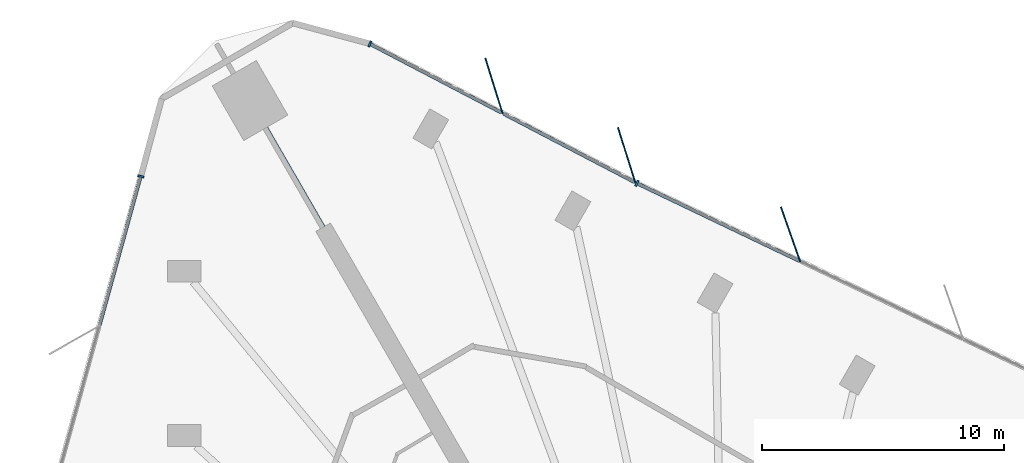
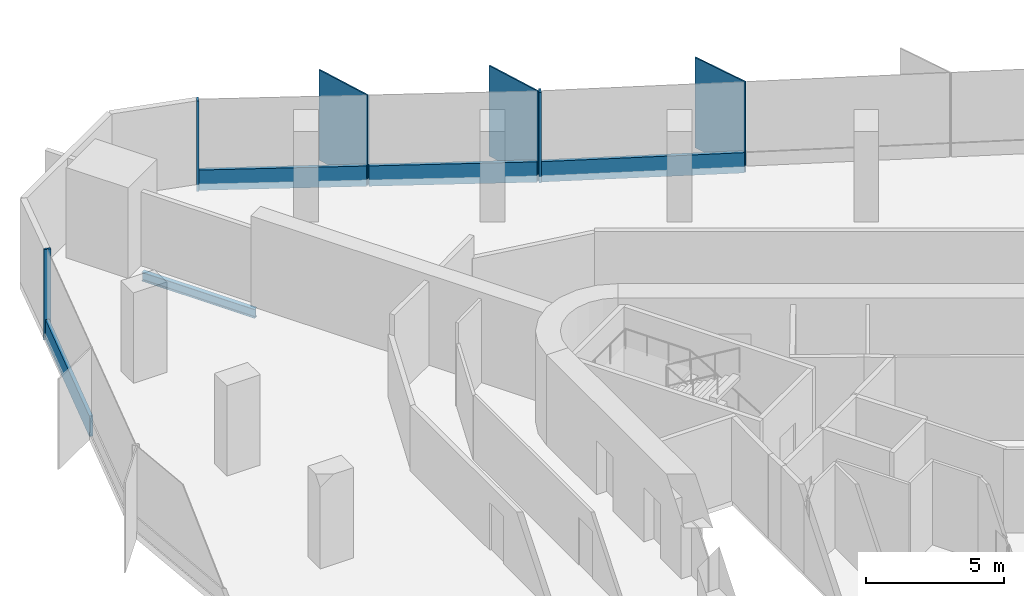
# One storey, part 6 of 13: 10 members, 1 beam, 3 elements without a shape of their own.
"""IFC4 building model written with IfcOpenShell, lengths in metres."""

from ifc_helpers import new_model, si_unit, direction, frame, origin, origin_2d, place, context, subcontext, project, spatial, rectangle, i_section, extrude, material, material_profile, profile_set, type_object, element, aggregate, save


model = new_model("IFC4")

# Units and contexts
model_context = context("Model", 3, precision=1e-05, world=origin(), true_north=direction((0.0, 1.0)))
body_context = subcontext(model_context, "Body", "Model", "MODEL_VIEW")
ifc_project = project(units=[si_unit("LENGTHUNIT", "METRE"), si_unit("AREAUNIT", "SQUARE_METRE"), si_unit("VOLUMEUNIT", "CUBIC_METRE"), si_unit("PLANEANGLEUNIT", "RADIAN"), si_unit("MASSUNIT", "GRAM", prefix="KILO")], contexts=[model_context])

# Site, building, storey
site_placement = place(None, origin())
site = spatial("IfcSite", under=ifc_project, at=site_placement, CompositionType="ELEMENT")
building_placement = place(site_placement, origin())
building = spatial("IfcBuilding", under=site, at=building_placement, Name="Tanit Gate Tower", CompositionType="ELEMENT")
storey_placement = place(building_placement, frame((0.0, 0.0, 185.199951171875)))
storey = spatial("IfcBuildingStorey", under=building, at=storey_placement, Name="L40", CompositionType="ELEMENT", Elevation=185.199951171875)

# Curtain wall, member
ifc_material_1 = material(Name="Aluminium bronze anodised and glass", Category="aluminium")
curtain_wall_type = type_object("IfcCurtainWallType", Name="Curtain wall typical mid", PredefinedType="NOTDEFINED", material=ifc_material_1)
curtain_wall_1_placement = place(storey_placement, origin())
curtain_wall_1 = element("IfcCurtainWall", 1, at=curtain_wall_1_placement, inside=storey, type_object=curtain_wall_type, Name="Curtain wall L40 NE2", PredefinedType="NOTDEFINED")
ifc_material_2 = material(Name="Aluminium bronze anodised", Category="aluminium")
ifc_material_profile_1 = material_profile(ifc_material_2, rectangle(XDim=2.39990234375, YDim=0.055908203125, at=origin_2d()), Name="56x2400 bronze fin mullion")
ifc_profile_set_1 = profile_set([ifc_material_profile_1], Name="Aluminium bronze anodised")
member_type_1 = type_object("IfcMemberType", Name="FIN MULLION 56x2400 bronze", PredefinedType="MULLION", material=ifc_profile_set_1)
member_1_placement = place(storey_placement, frame((2.5966796875, 28.60400390625, -0.300048828125), z_axis=(0.0, 0.0, 1.0), x_axis=(0.333090099539, -0.94289500242, 0.0)))
member_1 = element("IfcMember", 2, at=member_1_placement, type_object=member_type_1, Name="Fin mullion L40 NE2.5", PredefinedType="MULLION", context=body_context, shape_type="SweptSolid", body=[
    extrude(rectangle(XDim=2.39990234375, YDim=0.055908203125, at=origin_2d()), origin(), (0.0, 0.0, 1.0), 4.0),
])

# Curtain wall, members
curtain_wall_2_placement = place(storey_placement, origin())
curtain_wall_2 = element("IfcCurtainWall", 3, at=curtain_wall_2_placement, inside=storey, type_object=curtain_wall_type, Name="Curtain wall L40 NE3", PredefinedType="NOTDEFINED")
member_2_placement = place(storey_placement, frame((-4.16552734375, 31.869384765625, -0.300048828125), z_axis=(0.0, 0.0, 1.0), x_axis=(0.299452427004, -0.954111232489, 0.0)))
member_2 = element("IfcMember", 4, at=member_2_placement, type_object=member_type_1, Name="Fin mullion L40 NE3.1", PredefinedType="MULLION", context=body_context, shape_type="SweptSolid", body=[
    extrude(rectangle(XDim=2.39990234375, YDim=0.055908203125, at=origin_2d()), origin(), (0.0, 0.0, 1.0), 4.0),
])
member_3_placement = place(storey_placement, frame((-9.63818359375, 34.727294921875, -0.300048828125), z_axis=(0.0, 0.0, 1.0), x_axis=(0.299452427004, -0.954111232489, 0.0)))
member_3 = element("IfcMember", 5, at=member_3_placement, type_object=member_type_1, Name="Fin mullion L40 NE3.2", PredefinedType="MULLION", context=body_context, shape_type="SweptSolid", body=[
    extrude(rectangle(XDim=2.39990234375, YDim=0.055908203125, at=origin_2d()), origin(), (0.0, 0.0, 1.0), 4.0),
])

# Member
ifc_material_3 = material(Name="Aluminium bronze anodised", Category="aluminium")
ifc_material_profile_2 = material_profile(ifc_material_3, rectangle(XDim=0.260009765625, YDim=0.080078125, at=origin_2d()), Name="80x260 bronze mullion")
ifc_profile_set_2 = profile_set([ifc_material_profile_2], Name="Aluminium bronze anodised")
member_type_2 = type_object("IfcMemberType", Name="Mullion 80x260 typical mid", PredefinedType="MULLION", material=ifc_profile_set_2)
member_4_placement = place(storey_placement, frame((-3.740966796875, 30.708984375, -0.300048828125), z_axis=(0.0, 0.0, 1.0), x_axis=(-0.431197182029, -0.902257718288, 0.0)))
member_4 = element("IfcMember", 6, at=member_4_placement, type_object=member_type_2, Name="Mullion L40 NE2.6", PredefinedType="MULLION", context=body_context, shape_type="SweptSolid", body=[
    extrude(rectangle(XDim=0.260009765625, YDim=0.080078125, at=origin_2d()), origin(), (0.0, 0.0, 1.0), 4.0),
])

member_5_placement = place(storey_placement, frame((-14.757568359375, 36.460693359375, -0.300048828125), z_axis=(0.0, 0.0, 1.0), x_axis=(-0.462913680722, -0.886403364276, 0.0)))
member_5 = element("IfcMember", 7, at=member_5_placement, type_object=member_type_2, Name="Mullion L40 NE3.3", PredefinedType="MULLION", context=body_context, shape_type="SweptSolid", body=[
    extrude(rectangle(XDim=0.260009765625, YDim=0.080078125, at=origin_2d()), origin(), (0.0, 0.0, 1.0), 4.0),
])

# Curtain wall, member
curtain_wall_3_placement = place(storey_placement, origin())
curtain_wall_3 = element("IfcCurtainWall", 8, at=curtain_wall_3_placement, inside=storey, type_object=curtain_wall_type, Name="Curtain wall L40 W1", PredefinedType="NOTDEFINED")
member_6_placement = place(storey_placement, frame((-24.20947265625, 30.9990234375, -0.300048828125), z_axis=(0.0, 0.0, 1.0), x_axis=(0.963920221871, -0.266191295627, 0.0)))
member_6 = element("IfcMember", 9, at=member_6_placement, type_object=member_type_2, Name="Mullion L40 W1.1", PredefinedType="MULLION", context=body_context, shape_type="SweptSolid", body=[
    extrude(rectangle(XDim=0.260009765625, YDim=0.080078125, at=origin_2d()), origin(), (0.0, 0.0, 1.0), 4.0),
])

# Beam
ifc_material_4 = material(Name="Steel S355", Category="steel")
ifc_material_profile_3 = material_profile(ifc_material_4, i_section(OverallWidth=0.179931640625, OverallDepth=0.39990234375, WebThickness=0.008544921875, FlangeThickness=0.013427734375, FilletRadius=0.02099609375, at=origin_2d()), Name="IPE 400")
ifc_profile_set_3 = profile_set([ifc_material_profile_3], Name="Steel S355")
beam_type = type_object("IfcBeamType", Name="RADIAL GIRDER IPE 400 S355", PredefinedType="BEAM", material=ifc_profile_set_3)
beam_placement = place(storey_placement, frame((-19.05126953125, 32.997802734375, -0.5), z_axis=(0.49999482868, -0.866028389427, 0.0), x_axis=(0.866028389427, 0.49999482868, 0.0)))
element("IfcBeam", 10, at=beam_placement, inside=storey, type_object=beam_type, Name="RADIAL GIRDER", PredefinedType="BEAM", context=body_context, shape_type="SweptSolid", body=[
    extrude(i_section(OverallWidth=0.179931640625, OverallDepth=0.39990234375, WebThickness=0.008544921875, FlangeThickness=0.013427734375, FilletRadius=0.02099609375, at=origin_2d()), origin(), (0.0, 0.0, 1.0), 4.73291015625),
])

# Member
ifc_material_5 = material(Name="Aluminium bronze anodised", Category="aluminium")
ifc_material_profile_4 = material_profile(ifc_material_5, rectangle(XDim=0.139892578125, YDim=0.89990234375, at=origin_2d()), Name="140x900 bronze transom")
ifc_profile_set_4 = profile_set([ifc_material_profile_4], Name="Aluminium bronze anodised")
member_type_3 = type_object("IfcMemberType", Name="Transom 140x900 typical mid", PredefinedType="USERDEFINED", material=ifc_profile_set_4)
member_7_placement = place(storey_placement, frame((2.953125, 27.509765625, 0.150146484375), z_axis=(-0.902258481648, 0.431195584735, 0.0), x_axis=(-0.431195584735, -0.902258481648, 0.0)))
member_7 = element("IfcMember", 11, at=member_7_placement, type_object=member_type_3, Name="Transom L40 NE2.5", ObjectType="TRANSOM", PredefinedType="USERDEFINED", context=body_context, shape_type="SweptSolid", body=[
    extrude(rectangle(XDim=0.139892578125, YDim=0.89990234375, at=origin_2d()), origin(), (0.0, 0.0, 1.0), 7.379150390625),
])

aggregate(curtain_wall_1, [member_1, member_4, member_7])

member_8_placement = place(storey_placement, frame((-3.84814453125, 30.76318359375, 0.150146484375), z_axis=(-0.886386883346, 0.462945237618, 0.0), x_axis=(-0.462945237618, -0.886386883346, 0.0)))
member_8 = element("IfcMember", 12, at=member_8_placement, type_object=member_type_3, Name="Transom L40 NE3.1", ObjectType="TRANSOM", PredefinedType="USERDEFINED", context=body_context, shape_type="SweptSolid", body=[
    extrude(rectangle(XDim=0.139892578125, YDim=0.89990234375, at=origin_2d()), origin(), (0.0, 0.0, 1.0), 6.09375),
])

member_9_placement = place(storey_placement, frame((-9.320556640625, 33.62109375, 0.150146484375), z_axis=(-0.886395469442, 0.462928797713, 0.0), x_axis=(-0.462928797713, -0.886395469442, 0.0)))
member_9 = element("IfcMember", 13, at=member_9_placement, type_object=member_type_3, Name="Transom L40 NE3.2", ObjectType="TRANSOM", PredefinedType="USERDEFINED", context=body_context, shape_type="SweptSolid", body=[
    extrude(rectangle(XDim=0.139892578125, YDim=0.89990234375, at=origin_2d()), origin(), (0.0, 0.0, 1.0), 6.093994140625),
])

aggregate(curtain_wall_2, [member_2, member_3, member_5, member_8, member_9])

member_10_placement = place(storey_placement, frame((-24.22021484375, 30.96044921875, 0.150146484375), z_axis=(-0.266164324835, -0.963927669582, 0.0), x_axis=(0.963927669582, -0.266164324835, 0.0)))
member_10 = element("IfcMember", 14, at=member_10_placement, type_object=member_type_3, Name="Transom L40 W1.1", ObjectType="TRANSOM", PredefinedType="USERDEFINED", context=body_context, shape_type="SweptSolid", body=[
    extrude(rectangle(XDim=0.139892578125, YDim=0.89990234375, at=origin_2d()), origin(), (0.0, 0.0, 1.0), 6.316162109375),
])

aggregate(curtain_wall_3, [member_6, member_10])

save(model, "model.ifc")
